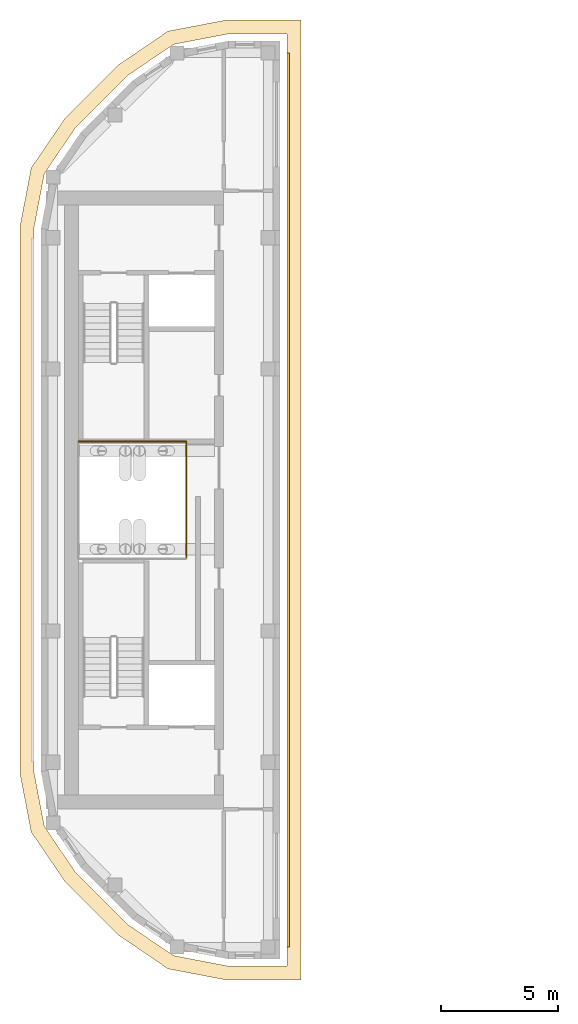
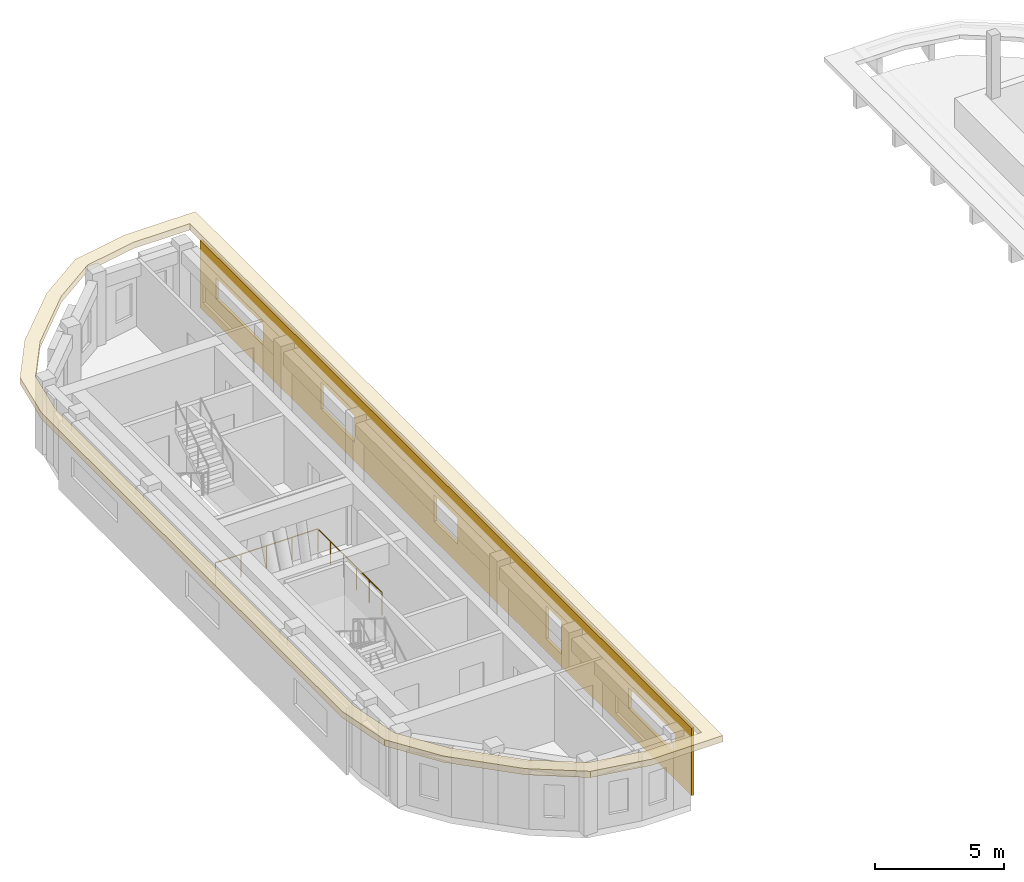
# One storey, part 6 of 8: 2 coverings, 2 railings.
"""IFC4 building model written with IfcOpenShell, lengths in metres."""

from ifc_helpers import new_model, si_unit, direction, frame, origin, origin_2d, place, context, subcontext, project, spatial, polyline, circle, outline, extrude, material, layer, layer_set, type_object, element, save


model = new_model("IFC4")

# Units and contexts
model_context = context("Model", 3, precision=1e-05, world=origin(), true_north=direction((0.0, 1.0)))
body_context = subcontext(model_context, "Body", "Model", "MODEL_VIEW")
ifc_project = project(units=[si_unit("LENGTHUNIT", "METRE"), si_unit("AREAUNIT", "SQUARE_METRE"), si_unit("VOLUMEUNIT", "CUBIC_METRE"), si_unit("PLANEANGLEUNIT", "RADIAN"), si_unit("MASSUNIT", "GRAM", prefix="KILO")], contexts=[model_context])

# Site, building, storey
site_placement = place(None, origin())
site = spatial("IfcSite", under=ifc_project, at=site_placement, CompositionType="ELEMENT")
building_placement = place(site_placement, origin())
building = spatial("IfcBuilding", under=site, at=building_placement, Name="Kiln Ring Residences", CompositionType="ELEMENT")
storey_placement = place(building_placement, frame((0.0, 0.0, 317.39990234375)))
storey = spatial("IfcBuildingStorey", under=building, at=storey_placement, Name="L82 Crown", CompositionType="ELEMENT", Elevation=317.39990234375)

# Covering
ifc_material_1 = material(Name="Brick masonry, dark clay brick", Category="masonry")
ifc_layer_1 = layer(ifc_material_1, 0.1201171875)
ifc_layer_set_1 = layer_set([ifc_layer_1], Name="RAINSCREEN PANEL 120")
covering_type_1 = type_object("IfcCoveringType", Name="RAINSCREEN PANEL 120", PredefinedType="CLADDING", material=ifc_layer_set_1)
covering_1_placement = place(storey_placement, frame((-14.639892578125, -19.10009765625, 0.0), z_axis=(0.0, 0.0, 1.0), x_axis=(0.0, 1.0, 0.0)))
element("IfcCovering", 1, at=covering_1_placement, inside=storey, type_object=covering_type_1, Name="RAINSCREEN L82 Crown", PredefinedType="CLADDING", context=body_context, shape_type="SweptSolid", body=[
    extrude(outline(polyline([(0.0, 0.0), (38.199951171875, 0.0), (38.199951171875, 3.2001953125), (0.0, 3.2001953125), (0.0, 0.0)]), holes=[polyline([(11.300048828125, 0.60009765625), (11.300048828125, 2.150146484375), (10.10009765625, 2.150146484375), (10.10009765625, 0.60009765625), (11.300048828125, 0.60009765625)]), polyline([(20.0, 0.900146484375), (20.0, 2.150146484375), (18.199951171875, 2.150146484375), (18.199951171875, 0.900146484375), (20.0, 0.900146484375)]), polyline([(28.800048828125, 0.900146484375), (28.800048828125, 2.150146484375), (26.199951171875, 2.150146484375), (26.199951171875, 0.900146484375), (28.800048828125, 0.900146484375)]), polyline([(1.242431640625, 1.18017578125), (4.882568359375, 1.18017578125), (4.882568359375, 2.170166015625), (1.242431640625, 2.170166015625), (1.242431640625, 1.18017578125)]), polyline([(33.3173828125, 1.18017578125), (36.95751953125, 1.18017578125), (36.95751953125, 2.170166015625), (33.3173828125, 2.170166015625), (33.3173828125, 1.18017578125)])]), frame((0.0, 0.06005859375, 0.0), z_axis=(0.0, -1.0, 0.0), x_axis=(1.0, 0.0, 0.0)), (0.0, 0.0, 1.0), 0.1201171875),
])

# Railings
ifc_material_2 = material(Name="Black powder-coated steel", Category="steel")
railing_type = type_object("IfcRailingType", Name="ROOF GUARD 1100", PredefinedType="GUARDRAIL", material=ifc_material_2)
railing_1_placement = place(storey_placement, frame((-19.0, -2.5, 0.0)))
element("IfcRailing", 2, at=railing_1_placement, inside=storey, type_object=railing_type, Name="GUARD L82 Crown damper opening", PredefinedType="GUARDRAIL", context=body_context, shape_type="SweptSolid", body=[
    extrude(circle(Radius=0.02392578125, at=origin_2d()), frame((0.0, 0.0, 1.076171875), z_axis=(0.0, 1.0, 0.0), x_axis=(-1.0, 0.0, 0.0)), (0.0, 0.0, 1.0), 5.0),
    extrude(circle(Radius=0.02099609375, at=origin_2d()), origin(), (0.0, 0.0, 1.0), 1.052001953125),
    extrude(circle(Radius=0.02099609375, at=origin_2d()), frame((0.0, 1.0, 0.0)), (0.0, 0.0, 1.0), 1.052001953125),
    extrude(circle(Radius=0.02099609375, at=origin_2d()), frame((0.0, 2.0, 0.0)), (0.0, 0.0, 1.0), 1.052001953125),
    extrude(circle(Radius=0.02099609375, at=origin_2d()), frame((0.0, 3.0, 0.0)), (0.0, 0.0, 1.0), 1.052001953125),
    extrude(circle(Radius=0.02099609375, at=origin_2d()), frame((0.0, 4.0, 0.0)), (0.0, 0.0, 1.0), 1.052001953125),
    extrude(circle(Radius=0.02099609375, at=origin_2d()), frame((0.0, 5.0, 0.0)), (0.0, 0.0, 1.0), 1.052001953125),
])
railing_2_placement = place(storey_placement, frame((-19.0, 2.5, 0.0)))
element("IfcRailing", 3, at=railing_2_placement, inside=storey, type_object=railing_type, Name="GUARD L82 Crown damper opening", PredefinedType="GUARDRAIL", context=body_context, shape_type="SweptSolid", body=[
    extrude(circle(Radius=0.02392578125, at=origin_2d()), frame((0.0, 0.0, 1.076171875), z_axis=(-1.0, 0.0, 0.0), x_axis=(0.0, -1.0, 0.0)), (0.0, 0.0, 1.0), 4.60009765625),
    extrude(circle(Radius=0.02099609375, at=origin_2d()), origin(), (0.0, 0.0, 1.0), 1.052001953125),
    extrude(circle(Radius=0.02099609375, at=origin_2d()), frame((-1.14990234375, 0.0, 0.0)), (0.0, 0.0, 1.0), 1.052001953125),
    extrude(circle(Radius=0.02099609375, at=origin_2d()), frame((-2.300048828125, 0.0, 0.0)), (0.0, 0.0, 1.0), 1.052001953125),
    extrude(circle(Radius=0.02099609375, at=origin_2d()), frame((-3.4501953125, 0.0, 0.0)), (0.0, 0.0, 1.0), 1.052001953125),
    extrude(circle(Radius=0.02099609375, at=origin_2d()), frame((-4.60009765625, 0.0, 0.0)), (0.0, 0.0, 1.0), 1.052001953125),
])

# Covering
ifc_material_3 = material(Name="Black powder-coated steel", Category="steel")
ifc_layer_2 = layer(ifc_material_3, 0.300048828125)
ifc_layer_set_2 = layer_set([ifc_layer_2], Name="SUNSHADE FIN 600")
covering_type_2 = type_object("IfcCoveringType", Name="SUNSHADE FIN 600", PredefinedType="CLADDING", material=ifc_layer_set_2)
covering_2_placement = place(storey_placement, frame((0.0, 0.0, 3.2001953125)))
element("IfcCovering", 4, at=covering_2_placement, inside=storey, type_object=covering_type_2, Name="SUNSHADE FIN L82 Crown", PredefinedType="CLADDING", context=body_context, shape_type="SweptSolid", body=[
    extrude(outline(polyline([(-21.873291015625, -18.599609375), (-19.77587890625, -20.02490234375), (-17.28515625, -20.5), (-14.10009765625, -20.5), (-14.10009765625, 20.5), (-17.28515625, 20.5), (-19.77587890625, 20.02490234375), (-21.873291015625, 18.599609375), (-24.199462890625, 16.273193359375), (-25.625, 14.176025390625), (-26.10009765625, 11.68505859375), (-26.10009765625, -11.68505859375), (-25.625, -14.176025390625), (-24.199462890625, -16.273193359375), (-21.873291015625, -18.599609375)]), holes=[polyline([(-17.228515625, -19.89990234375), (-19.54150390625, -19.458740234375), (-21.489013671875, -18.135009765625), (-23.735107421875, -15.88916015625), (-25.058837890625, -13.94140625), (-25.5, -11.62841796875), (-25.5, 11.62841796875), (-25.058837890625, 13.94140625), (-23.735107421875, 15.88916015625), (-21.489013671875, 18.135009765625), (-19.54150390625, 19.458740234375), (-17.228515625, 19.89990234375), (-14.699951171875, 19.89990234375), (-14.699951171875, -19.89990234375), (-17.228515625, -19.89990234375)])]), origin(), (0.0, 0.0, 1.0), 0.2998046875),
])

save(model, "model.ifc")
